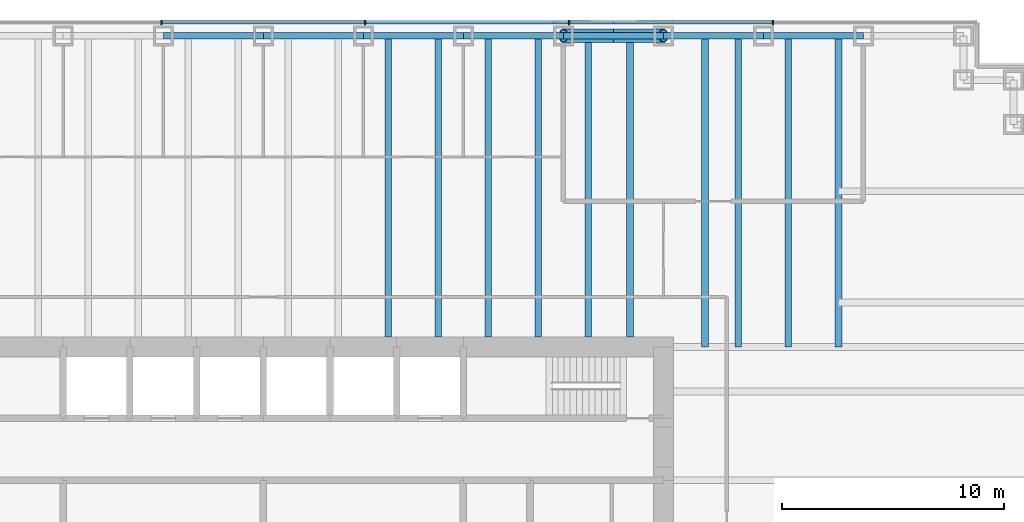
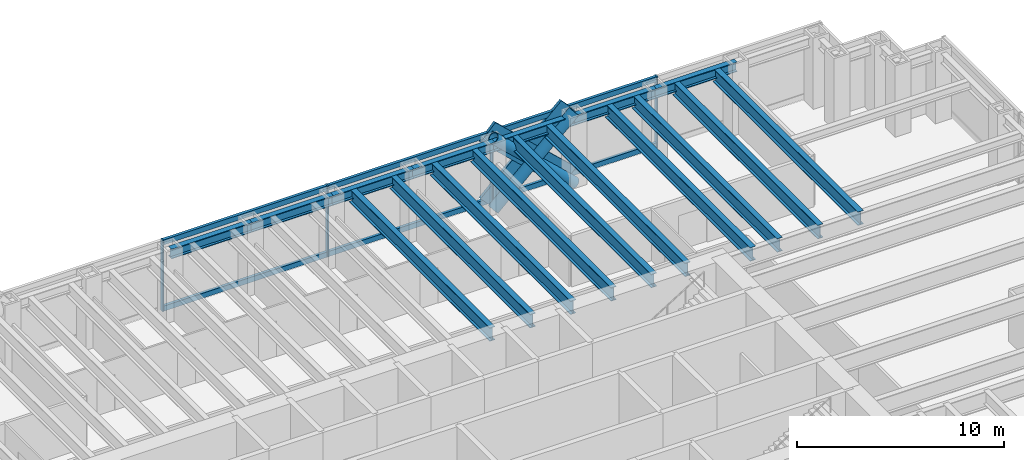
# One storey, part 7 of 15: 17 beams, 14 members, 1 element without a shape of its own.
"""IFC4 building model written with IfcOpenShell, lengths in metres."""

from ifc_helpers import new_model, si_unit, direction, frame, origin, origin_2d, place, context, subcontext, project, spatial, rectangle, hollow_circle, i_section, extrude, material, material_profile, profile_set, type_object, element, aggregate, save


model = new_model("IFC4")

# Units and contexts
model_context = context("Model", 3, precision=1e-05, world=origin(), true_north=direction((0.0, 1.0)))
body_context = subcontext(model_context, "Body", "Model", "MODEL_VIEW")
ifc_project = project(units=[si_unit("LENGTHUNIT", "METRE"), si_unit("AREAUNIT", "SQUARE_METRE"), si_unit("VOLUMEUNIT", "CUBIC_METRE"), si_unit("PLANEANGLEUNIT", "RADIAN"), si_unit("MASSUNIT", "GRAM", prefix="KILO")], contexts=[model_context])

# Site, building, storey
site_placement = place(None, origin())
site = spatial("IfcSite", under=ifc_project, at=site_placement, CompositionType="ELEMENT")
building_placement = place(site_placement, origin())
building = spatial("IfcBuilding", under=site, at=building_placement, Name="Rheinbord Bourse Tower", CompositionType="ELEMENT")
storey_placement = place(building_placement, frame((0.0, 0.0, 108.89990234375)))
storey = spatial("IfcBuildingStorey", under=building, at=storey_placement, Name="L23", CompositionType="ELEMENT", Elevation=108.89990234375)

# Curtain wall, members
ifc_material_1 = material(Name="Dark glass and black aluminium", Category="aluminium")
curtain_wall_type = type_object("IfcCurtainWallType", Name="CW2 DARK GLASS CURTAIN WALL", PredefinedType="USERDEFINED", material=ifc_material_1)
curtain_wall_placement = place(storey_placement, origin())
curtain_wall = element("IfcCurtainWall", 1, at=curtain_wall_placement, inside=storey, type_object=curtain_wall_type, Name="Curtain wall CW2 N L23", ObjectType="UNITISED CURTAIN WALL", PredefinedType="USERDEFINED")
ifc_material_2 = material(Name="Black anodised aluminium", Category="aluminium")
ifc_material_profile_1 = material_profile(ifc_material_2, rectangle(XDim=0.159912109375, YDim=1.2099609375, at=origin_2d()), Name="CW2 DIAGONAL MULLION 1210x160")
ifc_profile_set_1 = profile_set([ifc_material_profile_1], Name="Black anodised aluminium")
member_type_1 = type_object("IfcMemberType", Name="CW2 BLACK DIAGONAL MULLION", PredefinedType="USERDEFINED", material=ifc_profile_set_1)
member_1_placement = place(storey_placement, frame((49.5, 46.60009765625, 0.0), z_axis=(0.731039441158, 0.0, 0.682335207557), x_axis=(0.0, 1.0, 0.0)))
member_1 = element("IfcMember", 2, at=member_1_placement, type_object=member_type_1, Name="CW2 diagonal mullion b", ObjectType="DIAGONAL MULLION", PredefinedType="USERDEFINED", context=body_context, shape_type="SweptSolid", body=[
    extrude(rectangle(XDim=0.159912109375, YDim=1.2099609375, at=origin_2d()), origin(), (0.0, 0.0, 1.0), 6.155517578125),
])
member_2_placement = place(storey_placement, frame((54.0, 46.60009765625, 0.0), z_axis=(-0.731039441158, 0.0, 0.682335207557), x_axis=(0.0, -1.0, 0.0)))
member_2 = element("IfcMember", 3, at=member_2_placement, type_object=member_type_1, Name="CW2 diagonal mullion d", ObjectType="DIAGONAL MULLION", PredefinedType="USERDEFINED", context=body_context, shape_type="SweptSolid", body=[
    extrude(rectangle(XDim=0.159912109375, YDim=1.2099609375, at=origin_2d()), origin(), (0.0, 0.0, 1.0), 6.155517578125),
])
ifc_material_3 = material(Name="Black anodised aluminium", Category="aluminium")
ifc_material_profile_2 = material_profile(ifc_material_3, rectangle(XDim=0.219970703125, YDim=0.070068359375, at=origin_2d()), Name="CW2 MULLION 70x220")
ifc_profile_set_2 = profile_set([ifc_material_profile_2], Name="Black anodised aluminium")
member_type_2 = type_object("IfcMemberType", Name="CW2 BLACK MULLION", PredefinedType="MULLION", material=ifc_profile_set_2)
member_3_placement = place(storey_placement, frame((58.928466796875, 46.60009765625, 0.0), z_axis=(0.0, 0.0, 1.0), x_axis=(0.0, -1.0, 0.0)))
member_3 = element("IfcMember", 4, at=member_3_placement, type_object=member_type_2, Name="CW2 mullion 2", PredefinedType="MULLION", context=body_context, shape_type="SweptSolid", body=[
    extrude(rectangle(XDim=0.219970703125, YDim=0.070068359375, at=origin_2d()), origin(), (0.0, 0.0, 1.0), 4.2001953125),
])
member_4_placement = place(storey_placement, frame((49.757080078125, 46.60009765625, 0.0), z_axis=(0.0, 0.0, 1.0), x_axis=(0.0, -1.0, 0.0)))
member_4 = element("IfcMember", 5, at=member_4_placement, type_object=member_type_2, Name="CW2 mullion 3", PredefinedType="MULLION", context=body_context, shape_type="SweptSolid", body=[
    extrude(rectangle(XDim=0.219970703125, YDim=0.070068359375, at=origin_2d()), origin(), (0.0, 0.0, 1.0), 4.2001953125),
])
member_5_placement = place(storey_placement, frame((40.585693359375, 46.60009765625, 0.0), z_axis=(0.0, 0.0, 1.0), x_axis=(0.0, -1.0, 0.0)))
member_5 = element("IfcMember", 6, at=member_5_placement, type_object=member_type_2, Name="CW2 mullion 4", PredefinedType="MULLION", context=body_context, shape_type="SweptSolid", body=[
    extrude(rectangle(XDim=0.219970703125, YDim=0.070068359375, at=origin_2d()), origin(), (0.0, 0.0, 1.0), 4.2001953125),
])
member_6_placement = place(storey_placement, frame((31.414306640625, 46.60009765625, 0.0), z_axis=(0.0, 0.0, 1.0), x_axis=(0.0, -1.0, 0.0)))
member_6 = element("IfcMember", 7, at=member_6_placement, type_object=member_type_2, Name="CW2 mullion 5", PredefinedType="MULLION", context=body_context, shape_type="SweptSolid", body=[
    extrude(rectangle(XDim=0.219970703125, YDim=0.070068359375, at=origin_2d()), origin(), (0.0, 0.0, 1.0), 4.2001953125),
])
ifc_material_4 = material(Name="Black anodised aluminium", Category="aluminium")
ifc_material_profile_3 = material_profile(ifc_material_4, rectangle(XDim=0.159912109375, YDim=0.300048828125, at=origin_2d()), Name="CW2 TRANSOM 300x160")
ifc_profile_set_3 = profile_set([ifc_material_profile_3], Name="Black anodised aluminium")
member_type_3 = type_object("IfcMemberType", Name="CW2 BLACK TRANSOM", PredefinedType="USERDEFINED", material=ifc_profile_set_3)
member_7_placement = place(storey_placement, frame((58.8935546875, 46.60009765625, 0.150146484375), z_axis=(-1.0, 0.0, 0.0), x_axis=(0.0, -1.0, 0.0)))
member_7 = element("IfcMember", 8, at=member_7_placement, type_object=member_type_3, Name="CW2 transom 2.1", ObjectType="TRANSOM", PredefinedType="USERDEFINED", context=body_context, shape_type="SweptSolid", body=[
    extrude(rectangle(XDim=0.159912109375, YDim=0.300048828125, at=origin_2d()), origin(), (0.0, 0.0, 1.0), 9.101318359375),
])
member_8_placement = place(storey_placement, frame((58.8935546875, 46.60009765625, 4.050048828125), z_axis=(-1.0, 0.0, 0.0), x_axis=(0.0, -1.0, 0.0)))
member_8 = element("IfcMember", 9, at=member_8_placement, type_object=member_type_3, Name="CW2 transom 2.2", ObjectType="TRANSOM", PredefinedType="USERDEFINED", context=body_context, shape_type="SweptSolid", body=[
    extrude(rectangle(XDim=0.159912109375, YDim=0.300048828125, at=origin_2d()), origin(), (0.0, 0.0, 1.0), 9.101318359375),
])
member_9_placement = place(storey_placement, frame((49.72216796875, 46.60009765625, 0.150146484375), z_axis=(-1.0, 0.0, 0.0), x_axis=(0.0, -1.0, 0.0)))
member_9 = element("IfcMember", 10, at=member_9_placement, type_object=member_type_3, Name="CW2 transom 3.1", ObjectType="TRANSOM", PredefinedType="USERDEFINED", context=body_context, shape_type="SweptSolid", body=[
    extrude(rectangle(XDim=0.159912109375, YDim=0.300048828125, at=origin_2d()), origin(), (0.0, 0.0, 1.0), 9.1015625),
])
member_10_placement = place(storey_placement, frame((49.72216796875, 46.60009765625, 4.050048828125), z_axis=(-1.0, 0.0, 0.0), x_axis=(0.0, -1.0, 0.0)))
member_10 = element("IfcMember", 11, at=member_10_placement, type_object=member_type_3, Name="CW2 transom 3.2", ObjectType="TRANSOM", PredefinedType="USERDEFINED", context=body_context, shape_type="SweptSolid", body=[
    extrude(rectangle(XDim=0.159912109375, YDim=0.300048828125, at=origin_2d()), origin(), (0.0, 0.0, 1.0), 9.1015625),
])
member_11_placement = place(storey_placement, frame((40.55078125, 46.60009765625, 0.150146484375), z_axis=(-1.0, 0.0, 0.0), x_axis=(0.0, -1.0, 0.0)))
member_11 = element("IfcMember", 12, at=member_11_placement, type_object=member_type_3, Name="CW2 transom 4.1", ObjectType="TRANSOM", PredefinedType="USERDEFINED", context=body_context, shape_type="SweptSolid", body=[
    extrude(rectangle(XDim=0.159912109375, YDim=0.300048828125, at=origin_2d()), origin(), (0.0, 0.0, 1.0), 9.1015625),
])
member_12_placement = place(storey_placement, frame((40.55078125, 46.60009765625, 4.050048828125), z_axis=(-1.0, 0.0, 0.0), x_axis=(0.0, -1.0, 0.0)))
member_12 = element("IfcMember", 13, at=member_12_placement, type_object=member_type_3, Name="CW2 transom 4.2", ObjectType="TRANSOM", PredefinedType="USERDEFINED", context=body_context, shape_type="SweptSolid", body=[
    extrude(rectangle(XDim=0.159912109375, YDim=0.300048828125, at=origin_2d()), origin(), (0.0, 0.0, 1.0), 9.1015625),
])
aggregate(curtain_wall, [member_3, member_4, member_5, member_6, member_7, member_8, member_9, member_10, member_11, member_12, member_1, member_2])

# Beams
ifc_material_5 = material(Name="Steel S460", Category="steel")
ifc_material_profile_4 = material_profile(ifc_material_5, i_section(OverallWidth=0.300048828125, OverallDepth=0.800048828125, WebThickness=0.017578125, FlangeThickness=0.032958984375, at=origin_2d()), Name="HEB 800")
ifc_profile_set_4 = profile_set([ifc_material_profile_4], Name="Steel S460")
beam_type_1 = type_object("IfcBeamType", Name="FLOOR BEAM HEB 800", PredefinedType="BEAM", material=ifc_profile_set_4)
for number, where, z_axis, x_axis, name in (
    (14, (41.625, 46.0, 3.64013671875), (0.0, -1.0, 0.0), (1.0, 0.0, 0.0), "Floor beam N-40.5a L24"),
    (15, (43.875, 46.0, 3.64013671875), (0.0, -1.0, 0.0), (1.0, 0.0, 0.0), "Floor beam N-40.5b L24"),
    (16, (46.125, 46.0, 3.64013671875), (0.0, -1.0, 0.0), (1.0, 0.0, 0.0), "Floor beam N-45a L24"),
    (17, (48.375, 46.0, 3.64013671875), (0.0, -1.0, 0.0), (1.0, 0.0, 0.0), "Floor beam N-45b L24"),
    (18, (50.625, 46.0, 3.64013671875), (0.0, -1.0, 0.0), (1.0, 0.0, 0.0), "Floor beam N-49.5a L24"),
    (19, (52.5, 46.0, 3.64013671875), (0.0, -1.0, 0.0), (1.0, 0.0, 0.0), "Floor beam N-49.5b L24"),
):
    element("IfcBeam", number, at=place(storey_placement, frame(where, z_axis=z_axis, x_axis=x_axis)), inside=storey, type_object=beam_type_1, Name=name, PredefinedType="BEAM", context=body_context, shape_type="SweptSolid", body=[
        extrude(i_section(OverallWidth=0.300048828125, OverallDepth=0.800048828125, WebThickness=0.017578125, FlangeThickness=0.032958984375, at=origin_2d()), origin(), (0.0, 0.0, 1.0), 13.550048828125),
    ])
for number, where, z_axis, x_axis, name in (
    (20, (55.875, 46.0, 3.64013671875), (0.0, -1.0, 0.0), (1.0, 0.0, 0.0), "Floor beam N-54a L24"),
    (21, (57.375, 46.0, 3.64013671875), (0.0, -1.0, 0.0), (1.0, 0.0, 0.0), "Floor beam N-54b L24"),
    (22, (59.625, 46.0, 3.64013671875), (0.0, -1.0, 0.0), (1.0, 0.0, 0.0), "Floor beam N-58.5a L24"),
    (23, (61.875, 46.0, 3.64013671875), (0.0, -1.0, 0.0), (1.0, 0.0, 0.0), "Floor beam N-58.5b L24"),
):
    element("IfcBeam", number, at=place(storey_placement, frame(where, z_axis=z_axis, x_axis=x_axis)), inside=storey, type_object=beam_type_1, Name=name, PredefinedType="BEAM", context=body_context, shape_type="SweptSolid", body=[
        extrude(i_section(OverallWidth=0.300048828125, OverallDepth=0.800048828125, WebThickness=0.017578125, FlangeThickness=0.032958984375, at=origin_2d()), origin(), (0.0, 0.0, 1.0), 14.0),
    ])

# Members
ifc_material_6 = material(Name="Steel S460", Category="steel")
ifc_material_profile_5 = material_profile(ifc_material_6, hollow_circle(Radius=0.304931640625, WallThickness=0.0400390625, at=origin_2d()), Name="CHS 610x40")
ifc_profile_set_5 = profile_set([ifc_material_profile_5], Name="Steel S460")
member_type_4 = type_object("IfcMemberType", Name="MEGABRACE CHS 610x40", PredefinedType="BRACE", material=ifc_profile_set_5)
for number, where, z_axis, x_axis, name in (
    (24, (49.5, 46.0, 0.0), (0.731039441158, 0.0, 0.682335207557), (0.0, 1.0, 0.0), "Megabrace N face line b L23"),
    (25, (54.0, 46.0, 0.0), (-0.731039441158, 0.0, 0.682335207557), (0.0, -1.0, 0.0), "Megabrace N face line d L23"),
):
    element("IfcMember", number, at=place(storey_placement, frame(where, z_axis=z_axis, x_axis=x_axis)), inside=storey, type_object=member_type_4, Name=name, PredefinedType="BRACE", context=body_context, shape_type="SweptSolid", body=[
        extrude(hollow_circle(Radius=0.304931640625, WallThickness=0.0400390625, at=origin_2d()), origin(), (0.0, 0.0, 1.0), 6.155517578125),
    ])

# Beams
ifc_material_7 = material(Name="Steel S460", Category="steel")
ifc_material_profile_6 = material_profile(ifc_material_7, i_section(OverallWidth=0.305908203125, OverallDepth=0.572021484375, WebThickness=0.02099609375, FlangeThickness=0.0400390625, at=origin_2d()), Name="HEM 550")
ifc_profile_set_6 = profile_set([ifc_material_profile_6], Name="Steel S460")
beam_type_2 = type_object("IfcBeamType", Name="SPANDREL HEM 550", PredefinedType="SPANDREL", material=ifc_profile_set_6)
for number, where, z_axis, x_axis, name in (
    (26, (63.0, 46.0, 3.754150390625), (-1.0, 0.0, 0.0), (0.0, -1.0, 0.0), "Spandrel N-63-N-58.5 under L24"),
    (27, (58.5, 46.0, 3.754150390625), (-1.0, 0.0, 0.0), (0.0, -1.0, 0.0), "Spandrel N-58.5-N-54 under L24"),
    (28, (54.0, 46.0, 3.754150390625), (-1.0, 0.0, 0.0), (0.0, -1.0, 0.0), "Spandrel N-54-N-49.5 under L24"),
    (29, (49.5, 46.0, 3.754150390625), (-1.0, 0.0, 0.0), (0.0, -1.0, 0.0), "Spandrel N-49.5-N-45 under L24"),
    (30, (45.0, 46.0, 3.754150390625), (-1.0, 0.0, 0.0), (0.0, -1.0, 0.0), "Spandrel N-45-N-40.5 under L24"),
    (31, (40.5, 46.0, 3.754150390625), (-1.0, 0.0, 0.0), (0.0, -1.0, 0.0), "Spandrel N-40.5-N-36 under L24"),
    (32, (36.0, 46.0, 3.754150390625), (-1.0, 0.0, 0.0), (0.0, -1.0, 0.0), "Spandrel N-36-N-31.5 under L24"),
):
    element("IfcBeam", number, at=place(storey_placement, frame(where, z_axis=z_axis, x_axis=x_axis)), inside=storey, type_object=beam_type_2, Name=name, PredefinedType="SPANDREL", context=body_context, shape_type="SweptSolid", body=[
        extrude(i_section(OverallWidth=0.305908203125, OverallDepth=0.572021484375, WebThickness=0.02099609375, FlangeThickness=0.0400390625, at=origin_2d()), origin(), (0.0, 0.0, 1.0), 4.5),
    ])

save(model, "model.ifc")
